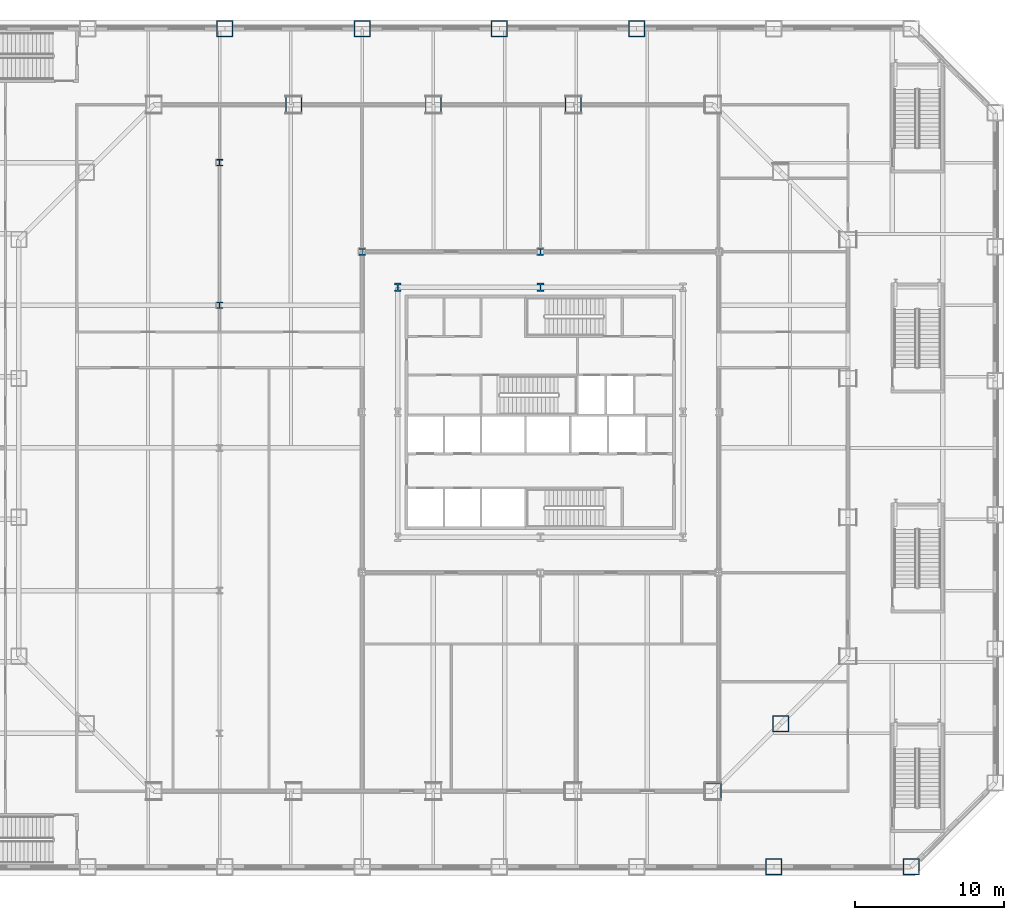
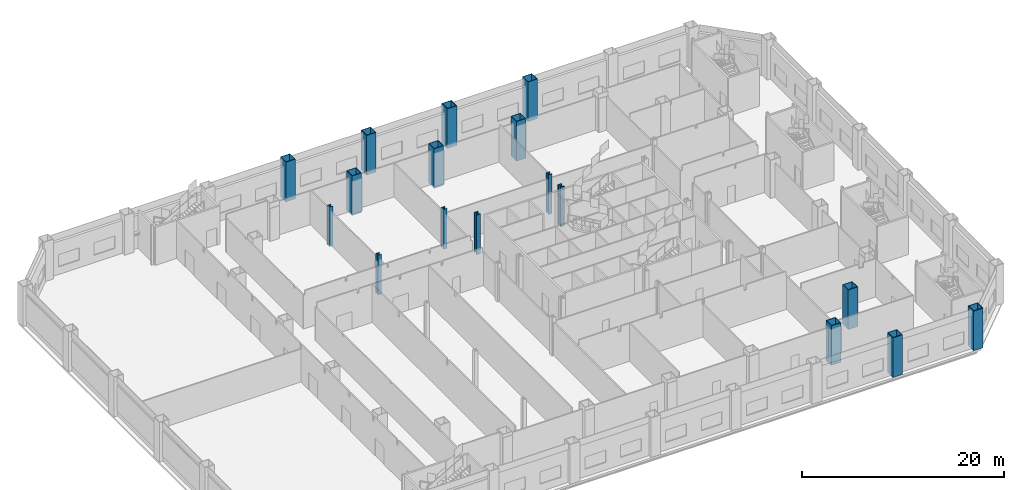
# One storey, part 4 of 26: 17 columns.
"""IFC4 building model written with IfcOpenShell, lengths in metres."""

from ifc_helpers import new_model, si_unit, direction, frame, origin, origin_2d, place, context, subcontext, project, spatial, hollow_rectangle, i_section, extrude, material, material_profile, profile_set, type_object, element, save


model = new_model("IFC4")

# Units and contexts
model_context = context("Model", 3, precision=1e-05, world=origin(), true_north=direction((0.0, 1.0)))
body_context = subcontext(model_context, "Body", "Model", "MODEL_VIEW")
ifc_project = project(units=[si_unit("LENGTHUNIT", "METRE"), si_unit("AREAUNIT", "SQUARE_METRE"), si_unit("VOLUMEUNIT", "CUBIC_METRE"), si_unit("PLANEANGLEUNIT", "RADIAN"), si_unit("MASSUNIT", "GRAM", prefix="KILO")], contexts=[model_context])

# Site, building, storey
site_placement = place(None, origin())
site = spatial("IfcSite", under=ifc_project, at=site_placement, CompositionType="ELEMENT")
building_placement = place(site_placement, origin())
building = spatial("IfcBuilding", under=site, at=building_placement, Name="Cairn Pilgrim Tower", CompositionType="ELEMENT")
storey_placement = place(building_placement, frame((0.0, 0.0, 25.800048828125)))
storey = spatial("IfcBuildingStorey", under=building, at=storey_placement, Name="L04", CompositionType="ELEMENT", Elevation=25.800048828125)

# Columns
ifc_material = material(Name="Structural steel S460M", Category="steel")
ifc_material_profile_1 = material_profile(ifc_material, hollow_rectangle(XDim=1.10009765625, YDim=1.10009765625, WallThickness=0.06005859375, at=origin_2d()), Name="BOX 1100x1100x60")
ifc_profile_set_1 = profile_set([ifc_material_profile_1], Name="Structural steel S460M")
column_type_1 = type_object("IfcColumnType", Name="BOX 1100x1100x60", PredefinedType="COLUMN", material=ifc_profile_set_1)
for number, where, z_axis, x_axis, name in (
    (1, (18.8271484375, -23.10009765625, -0.199951171875), (0.0, 0.0, 1.0), (1.0, 0.0, 0.0), "PC1-SE1"),
    (2, (23.363525390625, -18.563720703125, -0.199951171875), (0.0, 0.0, 1.0), (1.0, 0.0, 0.0), "PC1-SE2"),
    (3, (9.41357421875, 23.10009765625, -0.199951171875), (0.0, 0.0, 1.0), (1.0, 0.0, 0.0), "PC1-N2"),
    (4, (0.0, 23.10009765625, -0.199951171875), (0.0, 0.0, 1.0), (1.0, 0.0, 0.0), "PC1-N3"),
    (5, (-9.41357421875, 23.10009765625, -0.199951171875), (0.0, 0.0, 1.0), (1.0, 0.0, 0.0), "PC1-N4"),
):
    element("IfcColumn", number, at=place(storey_placement, frame(where, z_axis=z_axis, x_axis=x_axis)), inside=storey, type_object=column_type_1, Name=name, PredefinedType="COLUMN", context=body_context, shape_type="SweptSolid", body=[
        extrude(hollow_rectangle(XDim=1.10009765625, YDim=1.10009765625, WallThickness=0.06005859375, at=origin_2d()), origin(), (0.0, 0.0, 1.0), 4.7998046875),
    ])
ifc_material_profile_2 = material_profile(ifc_material, i_section(OverallWidth=0.4541015625, OverallDepth=0.569091796875, WebThickness=0.077880859375, FlangeThickness=0.125, FilletRadius=0.014892578125, at=origin_2d()), Name="HD 400x1086")
ifc_profile_set_2 = profile_set([ifc_material_profile_2], Name="Structural steel S460M")
column_type_2 = type_object("IfcColumnType", Name="HD 400x1086", PredefinedType="COLUMN", material=ifc_profile_set_2)
for number, where, z_axis, x_axis, name in (
    (6, (-2.39990234375, 10.800048828125, -0.199951171875), (0.0, 0.0, 1.0), (1.0, 0.0, 0.0), "KC-6"),
    (7, (7.199951171875, 10.800048828125, -0.199951171875), (0.0, 0.0, 1.0), (1.0, 0.0, 0.0), "KC-7"),
):
    element("IfcColumn", number, at=place(storey_placement, frame(where, z_axis=z_axis, x_axis=x_axis)), inside=storey, type_object=column_type_2, Name=name, PredefinedType="COLUMN", context=body_context, shape_type="SweptSolid", body=[
        extrude(i_section(OverallWidth=0.4541015625, OverallDepth=0.569091796875, WebThickness=0.077880859375, FlangeThickness=0.125, FilletRadius=0.014892578125, at=origin_2d()), origin(), (0.0, 0.0, 1.0), 4.7998046875),
    ])
ifc_material_profile_3 = material_profile(ifc_material, i_section(OverallWidth=0.408935546875, OverallDepth=0.425048828125, WebThickness=0.03271484375, FlangeThickness=0.052490234375, FilletRadius=0.014892578125, at=origin_2d()), Name="HD 400x421")
ifc_profile_set_3 = profile_set([ifc_material_profile_3], Name="Structural steel S460M")
column_type_3 = type_object("IfcColumnType", Name="HD 400x421", PredefinedType="COLUMN", material=ifc_profile_set_3)
for number, where, z_axis, x_axis, name in (
    (8, (-14.39990234375, 9.60009765625, -0.199951171875), (0.0, 0.0, 1.0), (1.0, 0.0, 0.0), "WC-WW+2"),
    (9, (-14.39990234375, 19.199951171875, -0.199951171875), (0.0, 0.0, 1.0), (1.0, 0.0, 0.0), "WC-WW+4"),
):
    element("IfcColumn", number, at=place(storey_placement, frame(where, z_axis=z_axis, x_axis=x_axis)), inside=storey, type_object=column_type_3, Name=name, PredefinedType="COLUMN", context=body_context, shape_type="SweptSolid", body=[
        extrude(i_section(OverallWidth=0.408935546875, OverallDepth=0.425048828125, WebThickness=0.03271484375, FlangeThickness=0.052490234375, FilletRadius=0.014892578125, at=origin_2d()), origin(), (0.0, 0.0, 1.0), 4.7998046875),
    ])
ifc_material_profile_4 = material_profile(ifc_material, i_section(OverallWidth=0.424072265625, OverallDepth=0.47412109375, WebThickness=0.047607421875, FlangeThickness=0.0771484375, FilletRadius=0.014892578125, at=origin_2d()), Name="HD 400x634")
ifc_profile_set_4 = profile_set([ifc_material_profile_4], Name="Structural steel S460M")
column_type_4 = type_object("IfcColumnType", Name="HD 400x634", PredefinedType="COLUMN", material=ifc_profile_set_4)
for number, where, z_axis, x_axis, name in (
    (10, (-4.800048828125, 13.199951171875, -0.199951171875), (0.0, 0.0, 1.0), (1.0, 0.0, 0.0), "IC-6"),
    (11, (7.199951171875, 13.199951171875, -0.199951171875), (0.0, 0.0, 1.0), (1.0, 0.0, 0.0), "IC-7"),
):
    element("IfcColumn", number, at=place(storey_placement, frame(where, z_axis=z_axis, x_axis=x_axis)), inside=storey, type_object=column_type_4, Name=name, PredefinedType="COLUMN", context=body_context, shape_type="SweptSolid", body=[
        extrude(i_section(OverallWidth=0.424072265625, OverallDepth=0.47412109375, WebThickness=0.047607421875, FlangeThickness=0.0771484375, FilletRadius=0.014892578125, at=origin_2d()), origin(), (0.0, 0.0, 1.0), 4.7998046875),
    ])
ifc_material_profile_5 = material_profile(ifc_material, hollow_rectangle(XDim=1.10009765625, YDim=1.10009765625, WallThickness=0.06005859375, at=origin_2d()), Name="BOX 1100x1100x60")
ifc_profile_set_5 = profile_set([ifc_material_profile_5], Name="Structural steel S460M")
column_type_5 = type_object("IfcColumnType", Name="PILOTIS CFT 1100", PredefinedType="COLUMN", material=ifc_profile_set_5)
for number, where, z_axis, x_axis, name in (
    (12, (22.91357421875, -28.199951171875, 0.0), (0.0, 0.0, 1.0), (1.0, 0.0, 0.0), "PILOTIS PL-S8"),
    (13, (32.151611328125, -28.199951171875, 0.0), (0.0, 0.0, 1.0), (1.0, 0.0, 0.0), "PILOTIS PL-SE1"),
    (14, (13.67578125, 28.199951171875, 0.0), (0.0, 0.0, 1.0), (1.0, 0.0, 0.0), "PILOTIS PL-N3"),
    (15, (4.43798828125, 28.199951171875, 0.0), (0.0, 0.0, 1.0), (1.0, 0.0, 0.0), "PILOTIS PL-N4"),
    (16, (-4.800048828125, 28.199951171875, 0.0), (0.0, 0.0, 1.0), (1.0, 0.0, 0.0), "PILOTIS PL-N5"),
    (17, (-14.037841796875, 28.199951171875, 0.0), (0.0, 0.0, 1.0), (1.0, 0.0, 0.0), "PILOTIS PL-N6"),
):
    element("IfcColumn", number, at=place(storey_placement, frame(where, z_axis=z_axis, x_axis=x_axis)), inside=storey, type_object=column_type_5, Name=name, PredefinedType="COLUMN", context=body_context, shape_type="SweptSolid", body=[
        extrude(hollow_rectangle(XDim=1.10009765625, YDim=1.10009765625, WallThickness=0.06005859375, at=origin_2d()), origin(), (0.0, 0.0, 1.0), 4.800048828125),
    ])

save(model, "model.ifc")
